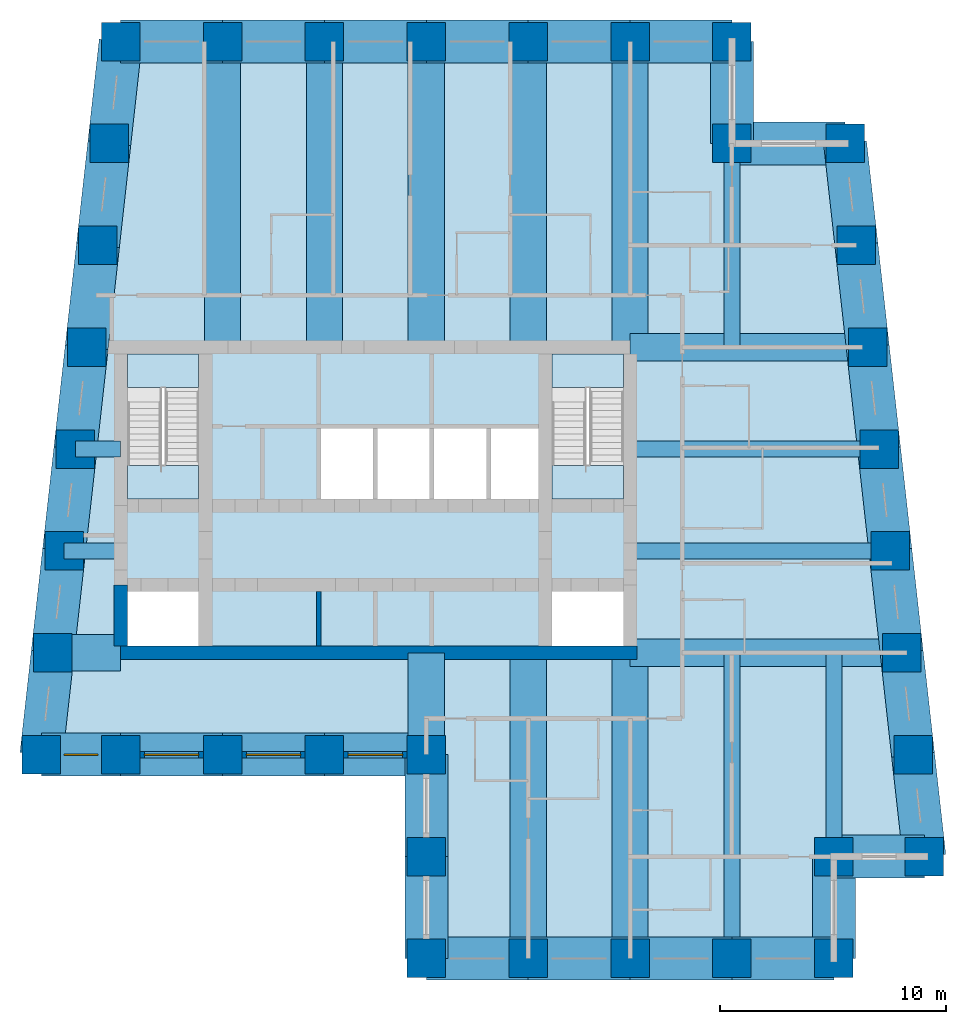
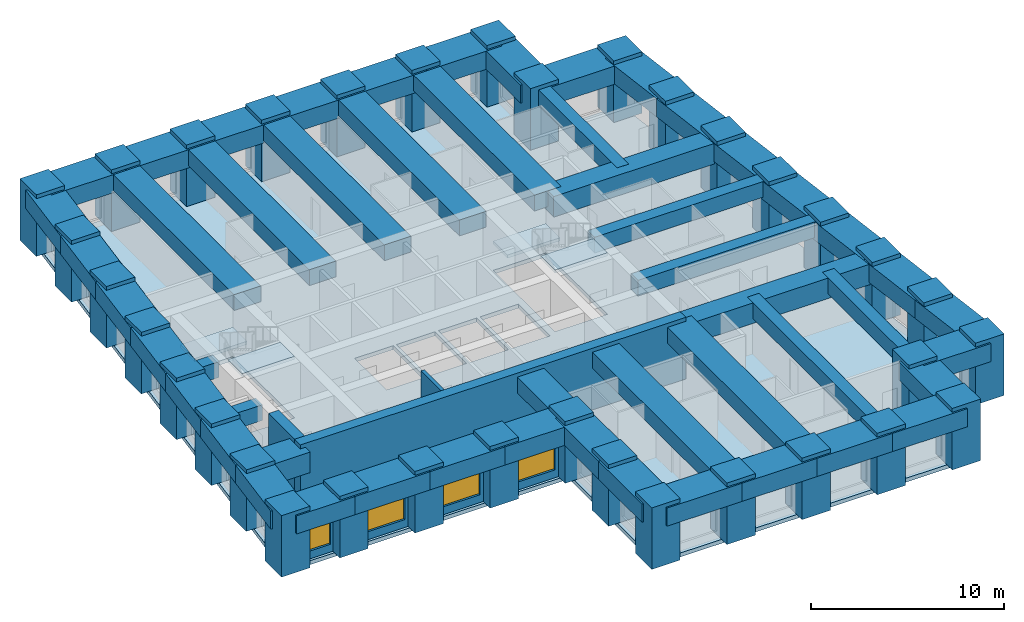
# One storey, part 1 of 7: 52 beams, 34 columns, 5 slabs, 4 walls, 4 windows, 4 openings, 2 elements without a shape of their own.
"""IFC4 building model written with IfcOpenShell, lengths in metres."""

from ifc_helpers import new_model, si_unit, direction, frame, frame_2d, origin, origin_2d, place, context, subcontext, project, spatial, polyline, rectangle, outline, extrude, material, layer, layer_set, material_profile, profile_set, type_object, element, fill, aggregate, save


model = new_model("IFC4")

# Units and contexts
model_context = context("Model", 3, precision=1e-05, world=origin(), true_north=direction((0.0, 1.0)))
body_context = subcontext(model_context, "Body", "Model", "MODEL_VIEW")
ifc_project = project(units=[si_unit("LENGTHUNIT", "METRE"), si_unit("AREAUNIT", "SQUARE_METRE"), si_unit("VOLUMEUNIT", "CUBIC_METRE"), si_unit("PLANEANGLEUNIT", "RADIAN"), si_unit("MASSUNIT", "GRAM", prefix="KILO")], contexts=[model_context])

# Site, building, storey
site_placement = place(None, origin())
site = spatial("IfcSite", under=ifc_project, at=site_placement, CompositionType="ELEMENT")
building_placement = place(site_placement, origin())
building = spatial("IfcBuilding", under=site, at=building_placement, Name="Kilele Tower Hotel", CompositionType="ELEMENT")
storey_placement = place(building_placement, frame((0.0, 0.0, 236.89990234375)))
storey = spatial("IfcBuildingStorey", under=building, at=storey_placement, Name="L61", CompositionType="ELEMENT", Elevation=236.89990234375)

# Columns
ifc_material_1 = material(Name="Concrete C60/75", Category="concrete")
ifc_material_profile_1 = material_profile(ifc_material_1, rectangle(XDim=1.699951171875, YDim=1.699951171875, at=origin_2d()))
ifc_profile_set_1 = profile_set([ifc_material_profile_1], Name="Concrete C60/75")
column_type = type_object("IfcColumnType", Name="Tube column RC 1700x1700 C60/75", PredefinedType="COLUMN", material=ifc_profile_set_1)
for number, where, z_axis, x_axis, name in (
    (1, (10.0, 9.0, 0.0), (0.0, 0.0, 1.0), (1.0, 0.0, 0.0), "Column TC4 L61"),
    (2, (13.5, 9.0, 0.0), (0.0, 0.0, 1.0), (1.0, 0.0, 0.0), "Column TC4 L61"),
    (3, (18.0, 9.0, 0.0), (0.0, 0.0, 1.0), (1.0, 0.0, 0.0), "Column TC4 L61"),
    (4, (22.5, 9.0, 0.0), (0.0, 0.0, 1.0), (1.0, 0.0, 0.0), "Column TC4 L61"),
    (5, (27.0, 9.0, 0.0), (0.0, 0.0, 1.0), (1.0, 0.0, 0.0), "Column TC4 L61"),
    (6, (27.0, 4.5, 0.0), (0.0, 0.0, 1.0), (1.0, 0.0, 0.0), "Column TC4 L61"),
    (7, (27.0, 0.0, 0.0), (0.0, 0.0, 1.0), (1.0, 0.0, 0.0), "Column TC4 L61"),
    (8, (31.5, 0.0, 0.0), (0.0, 0.0, 1.0), (1.0, 0.0, 0.0), "Column TC4 L61"),
    (9, (36.0, 0.0, 0.0), (0.0, 0.0, 1.0), (1.0, 0.0, 0.0), "Column TC4 L61"),
    (10, (40.5, 0.0, 0.0), (0.0, 0.0, 1.0), (1.0, 0.0, 0.0), "Column TC4 L61"),
    (11, (45.0, 0.0, 0.0), (0.0, 0.0, 1.0), (1.0, 0.0, 0.0), "Column TC4 L61"),
    (12, (45.0, 4.5, 0.0), (0.0, 0.0, 1.0), (1.0, 0.0, 0.0), "Column TC4 L61"),
    (13, (49.0, 4.5, 0.0), (0.0, 0.0, 1.0), (1.0, 0.0, 0.0), "Column TC4 L61"),
    (14, (48.5, 9.0, 0.0), (0.0, 0.0, 1.0), (1.0, 0.0, 0.0), "Column TC4 L61"),
    (15, (48.0, 13.5, 0.0), (0.0, 0.0, 1.0), (1.0, 0.0, 0.0), "Column TC4 L61"),
    (16, (47.5, 18.0, 0.0), (0.0, 0.0, 1.0), (1.0, 0.0, 0.0), "Column TC4 L61"),
    (17, (47.0, 22.5, 0.0), (0.0, 0.0, 1.0), (1.0, 0.0, 0.0), "Column TC4 L61"),
    (18, (46.5, 27.0, 0.0), (0.0, 0.0, 1.0), (1.0, 0.0, 0.0), "Column TC4 L61"),
    (19, (46.0, 31.5, 0.0), (0.0, 0.0, 1.0), (1.0, 0.0, 0.0), "Column TC4 L61"),
    (20, (45.5, 36.0, 0.0), (0.0, 0.0, 1.0), (1.0, 0.0, 0.0), "Column TC4 L61"),
    (21, (40.5, 36.0, 0.0), (0.0, 0.0, 1.0), (1.0, 0.0, 0.0), "Column TC4 L61"),
    (22, (40.5, 40.5, 0.0), (0.0, 0.0, 1.0), (1.0, 0.0, 0.0), "Column TC4 L61"),
    (23, (36.0, 40.5, 0.0), (0.0, 0.0, 1.0), (1.0, 0.0, 0.0), "Column TC4 L61"),
    (24, (31.5, 40.5, 0.0), (0.0, 0.0, 1.0), (1.0, 0.0, 0.0), "Column TC4 L61"),
    (25, (27.0, 40.5, 0.0), (0.0, 0.0, 1.0), (1.0, 0.0, 0.0), "Column TC4 L61"),
    (26, (22.5, 40.5, 0.0), (0.0, 0.0, 1.0), (1.0, 0.0, 0.0), "Column TC4 L61"),
    (27, (18.0, 40.5, 0.0), (0.0, 0.0, 1.0), (1.0, 0.0, 0.0), "Column TC4 L61"),
    (28, (13.5, 40.5, 0.0), (0.0, 0.0, 1.0), (1.0, 0.0, 0.0), "Column TC4 L61"),
    (29, (13.0, 36.0, 0.0), (0.0, 0.0, 1.0), (1.0, 0.0, 0.0), "Column TC4 L61"),
    (30, (12.5, 31.5, 0.0), (0.0, 0.0, 1.0), (1.0, 0.0, 0.0), "Column TC4 L61"),
    (31, (12.0, 27.0, 0.0), (0.0, 0.0, 1.0), (1.0, 0.0, 0.0), "Column TC4 L61"),
    (32, (11.5, 22.5, 0.0), (0.0, 0.0, 1.0), (1.0, 0.0, 0.0), "Column TC4 L61"),
    (33, (11.0, 18.0, 0.0), (0.0, 0.0, 1.0), (1.0, 0.0, 0.0), "Column TC4 L61"),
    (34, (10.5, 13.5, 0.0), (0.0, 0.0, 1.0), (1.0, 0.0, 0.0), "Column TC4 L61"),
):
    element("IfcColumn", number, at=place(storey_placement, frame(where, z_axis=z_axis, x_axis=x_axis)), inside=storey, type_object=column_type, Name=name, PredefinedType="COLUMN", context=body_context, shape_type="SweptSolid", body=[
        extrude(rectangle(XDim=1.699951171875, YDim=1.699951171875, at=origin_2d()), origin(), (0.0, 0.0, 1.0), 3.900146484375),
    ])

# Beams
ifc_material_2 = material(Name="Concrete C60/75", Category="concrete")
ifc_material_profile_2 = material_profile(ifc_material_2, rectangle(XDim=1.60009765625, YDim=1.0, at=origin_2d()))
ifc_profile_set_2 = profile_set([ifc_material_profile_2], Name="Concrete C60/75")
beam_type_1 = type_object("IfcBeamType", Name="Beam RC 1600x1000 C60/75", PredefinedType="BEAM", material=ifc_profile_set_2)
for number, where, z_axis, x_axis, name in (
    (35, (31.5, 0.0, 3.150146484375), (0.0, 1.0, 0.0), (-1.0, 0.0, 0.0), "Beam BC1 level L62"),
    (36, (36.0, 0.0, 3.150146484375), (0.0, 1.0, 0.0), (-1.0, 0.0, 0.0), "Beam BC1 level L62"),
    (37, (36.0, 40.5, 3.150146484375), (0.0, -1.0, 0.0), (1.0, 0.0, 0.0), "Beam BC1 level L62"),
    (38, (31.5, 40.5, 3.150146484375), (0.0, -1.0, 0.0), (1.0, 0.0, 0.0), "Beam BC1 level L62"),
    (39, (27.0, 40.5, 3.150146484375), (0.0, -1.0, 0.0), (1.0, 0.0, 0.0), "Beam BC1 level L62"),
    (40, (22.5, 40.5, 3.150146484375), (0.0, -1.0, 0.0), (1.0, 0.0, 0.0), "Beam BC1 level L62"),
    (41, (18.0, 40.5, 3.150146484375), (0.0, -1.0, 0.0), (1.0, 0.0, 0.0), "Beam BC1 level L62"),
):
    element("IfcBeam", number, at=place(storey_placement, frame(where, z_axis=z_axis, x_axis=x_axis)), inside=storey, type_object=beam_type_1, Name=name, PredefinedType="BEAM", context=body_context, shape_type="SweptSolid", body=[
        extrude(rectangle(XDim=1.60009765625, YDim=1.0, at=origin_2d()), origin(), (0.0, 0.0, 1.0), 13.5),
    ])
ifc_material_3 = material(Name="Concrete C60/75", Category="concrete")
ifc_material_profile_3 = material_profile(ifc_material_3, rectangle(XDim=1.60009765625, YDim=1.0, at=origin_2d()))
ifc_profile_set_3 = profile_set([ifc_material_profile_3], Name="Concrete C60/75")
beam_type_2 = type_object("IfcBeamType", Name="Beam RC 1600x1000 C60/75 short span", PredefinedType="BEAM", material=ifc_profile_set_3)
beam_1_placement = place(storey_placement, frame((27.0, 9.0, 3.150146484375), z_axis=(0.0, 1.0, 0.0), x_axis=(-1.0, 0.0, 0.0)))
element("IfcBeam", 42, at=beam_1_placement, inside=storey, type_object=beam_type_2, Name="Beam BC2 level L62", PredefinedType="BEAM", context=body_context, shape_type="SweptSolid", body=[
    extrude(rectangle(XDim=1.60009765625, YDim=1.0, at=origin_2d()), origin(), (0.0, 0.0, 1.0), 4.5),
])
ifc_material_4 = material(Name="Concrete C60/75", Category="concrete")
ifc_material_profile_4 = material_profile(ifc_material_4, rectangle(XDim=0.699951171875, YDim=1.0, at=origin_2d()))
ifc_profile_set_4 = profile_set([ifc_material_profile_4], Name="Concrete C60/75")
beam_type_3 = type_object("IfcBeamType", Name="Beam RC 700x1000 C60/75", PredefinedType="BEAM", material=ifc_profile_set_4)
beam_2_placement = place(storey_placement, frame((40.5, 0.0, 3.150146484375), z_axis=(0.0, 1.0, 0.0), x_axis=(-1.0, 0.0, 0.0)))
element("IfcBeam", 43, at=beam_2_placement, inside=storey, type_object=beam_type_3, Name="Beam B4 level L62", PredefinedType="BEAM", context=body_context, shape_type="SweptSolid", body=[
    extrude(rectangle(XDim=0.699951171875, YDim=1.0, at=origin_2d()), origin(), (0.0, 0.0, 1.0), 13.5),
])
ifc_material_5 = material(Name="Concrete C60/75", Category="concrete")
ifc_material_profile_5 = material_profile(ifc_material_5, rectangle(XDim=0.699951171875, YDim=1.0, at=origin_2d()))
ifc_profile_set_5 = profile_set([ifc_material_profile_5], Name="Concrete C60/75")
beam_type_4 = type_object("IfcBeamType", Name="Beam RC 700x1000 C60/75 mid span", PredefinedType="BEAM", material=ifc_profile_set_5)
beam_3_placement = place(storey_placement, frame((45.0, 4.5, 3.150146484375), z_axis=(0.0, 1.0, 0.0), x_axis=(-1.0, 0.0, 0.0)))
element("IfcBeam", 44, at=beam_3_placement, inside=storey, type_object=beam_type_4, Name="Beam B5 level L62", PredefinedType="BEAM", context=body_context, shape_type="SweptSolid", body=[
    extrude(rectangle(XDim=0.699951171875, YDim=1.0, at=origin_2d()), origin(), (0.0, 0.0, 1.0), 9.0),
])
beam_4_placement = place(storey_placement, frame((47.5, 18.0, 3.150146484375), z_axis=(-1.0, 0.0, 0.0), x_axis=(0.0, -1.0, 0.0)))
element("IfcBeam", 45, at=beam_4_placement, inside=storey, type_object=beam_type_4, Name="Beam B5 level L62", PredefinedType="BEAM", context=body_context, shape_type="SweptSolid", body=[
    extrude(rectangle(XDim=0.699951171875, YDim=1.0, at=origin_2d()), origin(), (0.0, 0.0, 1.0), 11.5),
])
beam_5_placement = place(storey_placement, frame((47.0, 22.5, 3.150146484375), z_axis=(-1.0, 0.0, 0.0), x_axis=(0.0, -1.0, 0.0)))
element("IfcBeam", 46, at=beam_5_placement, inside=storey, type_object=beam_type_4, Name="Beam B5 level L62", PredefinedType="BEAM", context=body_context, shape_type="SweptSolid", body=[
    extrude(rectangle(XDim=0.699951171875, YDim=1.0, at=origin_2d()), origin(), (0.0, 0.0, 1.0), 11.0),
])
beam_6_placement = place(storey_placement, frame((40.5, 36.0, 3.150146484375), z_axis=(0.0, -1.0, 0.0), x_axis=(1.0, 0.0, 0.0)))
element("IfcBeam", 47, at=beam_6_placement, inside=storey, type_object=beam_type_4, Name="Beam B5 level L62", PredefinedType="BEAM", context=body_context, shape_type="SweptSolid", body=[
    extrude(rectangle(XDim=0.699951171875, YDim=1.0, at=origin_2d()), origin(), (0.0, 0.0, 1.0), 9.0),
])
ifc_material_6 = material(Name="Concrete C60/75", Category="concrete")
ifc_material_profile_6 = material_profile(ifc_material_6, rectangle(XDim=0.699951171875, YDim=1.0, at=origin_2d()))
ifc_profile_set_6 = profile_set([ifc_material_profile_6], Name="Concrete C60/75")
beam_type_5 = type_object("IfcBeamType", Name="Beam RC 700x1000 C60/75 short span", PredefinedType="BEAM", material=ifc_profile_set_6)
beam_7_placement = place(storey_placement, frame((11.5, 22.5, 3.150146484375), z_axis=(1.0, 0.0, 0.0), x_axis=(0.0, 1.0, 0.0)))
element("IfcBeam", 48, at=beam_7_placement, inside=storey, type_object=beam_type_5, Name="Beam B6 level L62", PredefinedType="BEAM", context=body_context, shape_type="SweptSolid", body=[
    extrude(rectangle(XDim=0.699951171875, YDim=1.0, at=origin_2d()), origin(), (0.0, 0.0, 1.0), 2.0),
])
beam_8_placement = place(storey_placement, frame((11.0, 18.0, 3.150146484375), z_axis=(1.0, 0.0, 0.0), x_axis=(0.0, 1.0, 0.0)))
element("IfcBeam", 49, at=beam_8_placement, inside=storey, type_object=beam_type_5, Name="Beam B6 level L62", PredefinedType="BEAM", context=body_context, shape_type="SweptSolid", body=[
    extrude(rectangle(XDim=0.699951171875, YDim=1.0, at=origin_2d()), origin(), (0.0, 0.0, 1.0), 2.5),
])
ifc_material_7 = material(Name="Concrete C60/75", Category="concrete")
ifc_material_profile_7 = material_profile(ifc_material_7, rectangle(XDim=1.60009765625, YDim=1.300048828125, at=origin_2d()))
ifc_profile_set_7 = profile_set([ifc_material_profile_7], Name="Concrete C60/75")
beam_type_6 = type_object("IfcBeamType", Name="Coupling girder RC 1600x1300 C60/75", PredefinedType="BEAM", material=ifc_profile_set_7)
beam_9_placement = place(storey_placement, frame((10.5, 13.5, 3.0), z_axis=(1.0, 0.0, 0.0), x_axis=(0.0, 1.0, 0.0)))
element("IfcBeam", 50, at=beam_9_placement, inside=storey, type_object=beam_type_6, Name="Coupling girder G2 level L62", PredefinedType="BEAM", context=body_context, shape_type="SweptSolid", body=[
    extrude(rectangle(XDim=1.60009765625, YDim=1.300048828125, at=origin_2d()), origin(), (0.0, 0.0, 1.0), 3.0),
])
ifc_material_8 = material(Name="Concrete C60/75", Category="concrete")
ifc_material_profile_8 = material_profile(ifc_material_8, rectangle(XDim=1.199951171875, YDim=1.300048828125, at=origin_2d()))
ifc_profile_set_8 = profile_set([ifc_material_profile_8], Name="Concrete C60/75")
beam_type_7 = type_object("IfcBeamType", Name="Girder RC 1200x1300 C60/75", PredefinedType="BEAM", material=ifc_profile_set_8)
beam_10_placement = place(storey_placement, frame((48.0, 13.5, 3.0), z_axis=(-1.0, 0.0, 0.0), x_axis=(0.0, -1.0, 0.0)))
element("IfcBeam", 51, at=beam_10_placement, inside=storey, type_object=beam_type_7, Name="Girder G1 level L62", PredefinedType="BEAM", context=body_context, shape_type="SweptSolid", body=[
    extrude(rectangle(XDim=1.199951171875, YDim=1.300048828125, at=origin_2d()), origin(), (0.0, 0.0, 1.0), 12.0),
])
ifc_material_9 = material(Name="Concrete C60/75", Category="concrete")
ifc_material_profile_9 = material_profile(ifc_material_9, rectangle(XDim=1.199951171875, YDim=1.300048828125, at=origin_2d()))
ifc_profile_set_9 = profile_set([ifc_material_profile_9], Name="Concrete C60/75")
beam_type_8 = type_object("IfcBeamType", Name="Girder RC 1200x1300 C60/75 mid span", PredefinedType="BEAM", material=ifc_profile_set_9)
beam_11_placement = place(storey_placement, frame((46.5, 27.0, 3.0), z_axis=(-1.0, 0.0, 0.0), x_axis=(0.0, -1.0, 0.0)))
element("IfcBeam", 52, at=beam_11_placement, inside=storey, type_object=beam_type_8, Name="Girder G3 level L62", PredefinedType="BEAM", context=body_context, shape_type="SweptSolid", body=[
    extrude(rectangle(XDim=1.199951171875, YDim=1.300048828125, at=origin_2d()), origin(), (0.0, 0.0, 1.0), 10.5),
])
ifc_material_10 = material(Name="Concrete C60/75", Category="concrete")
ifc_material_profile_10 = material_profile(ifc_material_10, rectangle(XDim=1.89990234375, YDim=1.14990234375, at=origin_2d()))
ifc_profile_set_10 = profile_set([ifc_material_profile_10], Name="Concrete C60/75")
beam_type_9 = type_object("IfcBeamType", Name="Spandrel RC 1900x1150 C60/75", PredefinedType="SPANDREL", material=ifc_profile_set_10)
beam_12_placement = place(storey_placement, frame((10.0, 9.0, 3.0751953125), z_axis=(1.0, 0.0, 0.0), x_axis=(0.0, 1.0, 0.0)))
element("IfcBeam", 53, at=beam_12_placement, inside=storey, type_object=beam_type_9, Name="Spandrel SP8 level L62", PredefinedType="SPANDREL", context=body_context, shape_type="SweptSolid", body=[
    extrude(rectangle(XDim=1.89990234375, YDim=1.14990234375, at=origin_2d()), origin(), (0.0, 0.0, 1.0), 3.5),
])
for number, where, z_axis, x_axis, name in (
    (54, (13.5, 9.0, 3.0751953125), (1.0, 0.0, 0.0), (0.0, 1.0, 0.0), "Spandrel SP8 level L62"),
    (55, (18.0, 9.0, 3.0751953125), (1.0, 0.0, 0.0), (0.0, 1.0, 0.0), "Spandrel SP8 level L62"),
    (56, (22.5, 9.0, 3.0751953125), (1.0, 0.0, 0.0), (0.0, 1.0, 0.0), "Spandrel SP8 level L62"),
    (57, (27.0, 9.0, 3.0751953125), (0.0, -1.0, 0.0), (1.0, 0.0, 0.0), "Spandrel SP8 level L62"),
    (58, (27.0, 4.5, 3.0751953125), (0.0, -1.0, 0.0), (1.0, 0.0, 0.0), "Spandrel SP8 level L62"),
    (59, (27.0, 0.0, 3.0751953125), (1.0, 0.0, 0.0), (0.0, 1.0, 0.0), "Spandrel SP8 level L62"),
    (60, (31.5, 0.0, 3.0751953125), (1.0, 0.0, 0.0), (0.0, 1.0, 0.0), "Spandrel SP8 level L62"),
    (61, (36.0, 0.0, 3.0751953125), (1.0, 0.0, 0.0), (0.0, 1.0, 0.0), "Spandrel SP8 level L62"),
    (62, (40.5, 0.0, 3.0751953125), (1.0, 0.0, 0.0), (0.0, 1.0, 0.0), "Spandrel SP8 level L62"),
    (63, (45.0, 0.0, 3.0751953125), (0.0, 1.0, 0.0), (-1.0, 0.0, 0.0), "Spandrel SP8 level L62"),
):
    element("IfcBeam", number, at=place(storey_placement, frame(where, z_axis=z_axis, x_axis=x_axis)), inside=storey, type_object=beam_type_9, Name=name, PredefinedType="SPANDREL", context=body_context, shape_type="SweptSolid", body=[
        extrude(rectangle(XDim=1.89990234375, YDim=1.14990234375, at=origin_2d()), origin(), (0.0, 0.0, 1.0), 4.5),
    ])
beam_13_placement = place(storey_placement, frame((45.0, 4.5, 3.0751953125), z_axis=(1.0, 0.0, 0.0), x_axis=(0.0, 1.0, 0.0)))
element("IfcBeam", 64, at=beam_13_placement, inside=storey, type_object=beam_type_9, Name="Spandrel SP8 level L62", PredefinedType="SPANDREL", context=body_context, shape_type="SweptSolid", body=[
    extrude(rectangle(XDim=1.89990234375, YDim=1.14990234375, at=origin_2d()), origin(), (0.0, 0.0, 1.0), 4.0),
])
for number, where, z_axis, x_axis, name in (
    (65, (49.0, 4.5, 3.0751953125), (-0.110431526075, 0.993883734674, 0.0), (-0.993883734674, -0.110431526075, 0.0), "Spandrel SP8 level L62"),
    (66, (48.5, 9.0, 3.0751953125), (-0.110431526075, 0.993883734674, 0.0), (-0.993883734674, -0.110431526075, 0.0), "Spandrel SP8 level L62"),
    (67, (48.0, 13.5, 3.0751953125), (-0.110431526075, 0.993883734674, 0.0), (-0.993883734674, -0.110431526075, 0.0), "Spandrel SP8 level L62"),
    (68, (47.5, 18.0, 3.0751953125), (-0.110431526075, 0.993883734674, 0.0), (-0.993883734674, -0.110431526075, 0.0), "Spandrel SP8 level L62"),
    (69, (47.0, 22.5, 3.0751953125), (-0.110431526075, 0.993883734674, 0.0), (-0.993883734674, -0.110431526075, 0.0), "Spandrel SP8 level L62"),
    (70, (46.5, 27.0, 3.0751953125), (-0.110431526075, 0.993883734674, 0.0), (-0.993883734674, -0.110431526075, 0.0), "Spandrel SP8 level L62"),
    (71, (46.0, 31.5, 3.0751953125), (-0.110431526075, 0.993883734674, 0.0), (-0.993883734674, -0.110431526075, 0.0), "Spandrel SP8 level L62"),
):
    element("IfcBeam", number, at=place(storey_placement, frame(where, z_axis=z_axis, x_axis=x_axis)), inside=storey, type_object=beam_type_9, Name=name, PredefinedType="SPANDREL", context=body_context, shape_type="SweptSolid", body=[
        extrude(rectangle(XDim=1.89990234375, YDim=1.14990234375, at=origin_2d()), origin(), (0.0, 0.0, 1.0), 4.527587890625),
    ])
beam_14_placement = place(storey_placement, frame((45.5, 36.0, 3.0751953125), z_axis=(-1.0, 0.0, 0.0), x_axis=(0.0, -1.0, 0.0)))
element("IfcBeam", 72, at=beam_14_placement, inside=storey, type_object=beam_type_9, Name="Spandrel SP8 level L62", PredefinedType="SPANDREL", context=body_context, shape_type="SweptSolid", body=[
    extrude(rectangle(XDim=1.89990234375, YDim=1.14990234375, at=origin_2d()), origin(), (0.0, 0.0, 1.0), 5.0),
])
for number, where, z_axis, x_axis, name in (
    (73, (40.5, 36.0, 3.0751953125), (0.0, 1.0, 0.0), (-1.0, 0.0, 0.0), "Spandrel SP8 level L62"),
    (74, (40.5, 40.5, 3.0751953125), (-1.0, 0.0, 0.0), (0.0, -1.0, 0.0), "Spandrel SP8 level L62"),
    (75, (36.0, 40.5, 3.0751953125), (-1.0, 0.0, 0.0), (0.0, -1.0, 0.0), "Spandrel SP8 level L62"),
    (76, (31.5, 40.5, 3.0751953125), (-1.0, 0.0, 0.0), (0.0, -1.0, 0.0), "Spandrel SP8 level L62"),
    (77, (27.0, 40.5, 3.0751953125), (-1.0, 0.0, 0.0), (0.0, -1.0, 0.0), "Spandrel SP8 level L62"),
    (78, (22.5, 40.5, 3.0751953125), (-1.0, 0.0, 0.0), (0.0, -1.0, 0.0), "Spandrel SP8 level L62"),
    (79, (18.0, 40.5, 3.0751953125), (-1.0, 0.0, 0.0), (0.0, -1.0, 0.0), "Spandrel SP8 level L62"),
):
    element("IfcBeam", number, at=place(storey_placement, frame(where, z_axis=z_axis, x_axis=x_axis)), inside=storey, type_object=beam_type_9, Name=name, PredefinedType="SPANDREL", context=body_context, shape_type="SweptSolid", body=[
        extrude(rectangle(XDim=1.89990234375, YDim=1.14990234375, at=origin_2d()), origin(), (0.0, 0.0, 1.0), 4.5),
    ])
for number, where, z_axis, x_axis, name in (
    (80, (13.5, 40.5, 3.0751953125), (-0.110431526075, -0.993883734674, 0.0), (0.993883734674, -0.110431526075, 0.0), "Spandrel SP8 level L62"),
    (81, (13.0, 36.0, 3.0751953125), (-0.110431526075, -0.993883734674, 0.0), (0.993883734674, -0.110431526075, 0.0), "Spandrel SP8 level L62"),
    (82, (12.5, 31.5, 3.0751953125), (-0.110431526075, -0.993883734674, 0.0), (0.993883734674, -0.110431526075, 0.0), "Spandrel SP8 level L62"),
    (83, (12.0, 27.0, 3.0751953125), (-0.110431526075, -0.993883734674, 0.0), (0.993883734674, -0.110431526075, 0.0), "Spandrel SP8 level L62"),
    (84, (11.5, 22.5, 3.0751953125), (-0.110431526075, -0.993883734674, 0.0), (0.993883734674, -0.110431526075, 0.0), "Spandrel SP8 level L62"),
    (85, (11.0, 18.0, 3.0751953125), (-0.110431526075, -0.993883734674, 0.0), (0.993883734674, -0.110431526075, 0.0), "Spandrel SP8 level L62"),
    (86, (10.5, 13.5, 3.0751953125), (-0.110431526075, -0.993883734674, 0.0), (0.993883734674, -0.110431526075, 0.0), "Spandrel SP8 level L62"),
):
    element("IfcBeam", number, at=place(storey_placement, frame(where, z_axis=z_axis, x_axis=x_axis)), inside=storey, type_object=beam_type_9, Name=name, PredefinedType="SPANDREL", context=body_context, shape_type="SweptSolid", body=[
        extrude(rectangle(XDim=1.89990234375, YDim=1.14990234375, at=origin_2d()), origin(), (0.0, 0.0, 1.0), 4.527587890625),
    ])

# Slab
ifc_material_11 = material(Name="Concrete C60/75", Category="concrete")
ifc_layer_1 = layer(ifc_material_11, 0.25)
ifc_layer_set_1 = layer_set([ifc_layer_1], Name="Concrete C60/75")
slab_type_1 = type_object("IfcSlabType", Name="Floor slab 250", PredefinedType="FLOOR", material=ifc_layer_set_1)
slab_1_placement = place(storey_placement, frame((0.0, 0.0, -0.25)))
element("IfcSlab", 87, at=slab_1_placement, inside=storey, type_object=slab_type_1, Name="Floor slab L61", PredefinedType="FLOOR", context=body_context, shape_type="SweptSolid", body=[
    extrude(outline(polyline([(40.800048828125, 40.800048828125), (40.800048828125, 36.300048828125), (45.7685546875, 36.300048828125), (49.335205078125, 4.199951171875), (45.300048828125, 4.199951171875), (45.300048828125, -0.300048828125), (26.699951171875, -0.300048828125), (26.699951171875, 8.699951171875), (9.664794921875, 8.699951171875), (13.2314453125, 40.800048828125), (40.800048828125, 40.800048828125)]), holes=[polyline([(16.949951171875, 16.199951171875), (13.800048828125, 16.199951171875), (13.800048828125, 13.800048828125), (16.949951171875, 13.800048828125), (16.949951171875, 16.199951171875)]), polyline([(35.699951171875, 16.199951171875), (32.550048828125, 16.199951171875), (32.550048828125, 13.800048828125), (35.699951171875, 13.800048828125), (35.699951171875, 16.199951171875)]), polyline([(24.64990234375, 23.39990234375), (22.35009765625, 23.39990234375), (22.35009765625, 20.10009765625), (24.64990234375, 20.10009765625), (24.64990234375, 23.39990234375)]), polyline([(27.14990234375, 23.39990234375), (24.85009765625, 23.39990234375), (24.85009765625, 20.10009765625), (27.14990234375, 20.10009765625), (27.14990234375, 23.39990234375)]), polyline([(29.64990234375, 23.39990234375), (27.35009765625, 23.39990234375), (27.35009765625, 20.10009765625), (29.64990234375, 20.10009765625), (29.64990234375, 23.39990234375)]), polyline([(32.14990234375, 23.39990234375), (29.85009765625, 23.39990234375), (29.85009765625, 20.10009765625), (32.14990234375, 20.10009765625), (32.14990234375, 23.39990234375)]), polyline([(16.949951171875, 26.699951171875), (13.800048828125, 26.699951171875), (13.800048828125, 20.300048828125), (16.949951171875, 20.300048828125), (16.949951171875, 26.699951171875)]), polyline([(35.699951171875, 26.699951171875), (32.550048828125, 26.699951171875), (32.550048828125, 20.300048828125), (35.699951171875, 20.300048828125), (35.699951171875, 26.699951171875)])]), origin(), (0.0, 0.0, 1.0), 0.25),
])

# Stair, slabs
ifc_material_12 = material(Name="Precast concrete C40/50", Category="concrete")
stair_type = type_object("IfcStairType", Name="Stair 1475 x 3900", PredefinedType="HALF_TURN_STAIR", material=ifc_material_12)
stair_1_placement = place(storey_placement, origin())
stair_1 = element("IfcStair", 88, at=stair_1_placement, inside=storey, type_object=stair_type, Name="Stair 1 L61", PredefinedType="HALF_TURN_STAIR")
ifc_material_13 = material(Name="Precast concrete C40/50", Category="concrete")
ifc_layer_2 = layer(ifc_material_13, 0.199951171875)
ifc_layer_set_2 = layer_set([ifc_layer_2], Name="Precast concrete C40/50")
slab_type_2 = type_object("IfcSlabType", Name="Stair landing 200", PredefinedType="LANDING", material=ifc_layer_set_2)
slab_2_placement = place(storey_placement, frame((0.0, 0.0, 1.665283203125)))
slab_2 = element("IfcSlab", 89, at=slab_2_placement, type_object=slab_type_2, Name="ST1 landing 1", PredefinedType="LANDING", context=body_context, shape_type="SweptSolid", body=[
    extrude(outline(polyline([(13.800048828125, 25.22509765625), (16.949951171875, 25.22509765625), (16.949951171875, 26.699951171875), (13.800048828125, 26.699951171875), (13.800048828125, 25.22509765625)])), origin(), (0.0, 0.0, 1.0), 0.199951171875),
])
slab_3_placement = place(storey_placement, frame((0.0, 0.0, 3.7001953125)))
slab_3 = element("IfcSlab", 90, at=slab_3_placement, type_object=slab_type_2, Name="ST1 landing 2", PredefinedType="LANDING", context=body_context, shape_type="SweptSolid", body=[
    extrude(outline(polyline([(13.800048828125, 20.300048828125), (16.949951171875, 20.300048828125), (16.949951171875, 21.77490234375), (13.800048828125, 21.77490234375), (13.800048828125, 20.300048828125)])), origin(), (0.0, 0.0, 1.0), 0.199951171875),
])
aggregate(stair_1, [slab_2, slab_3])

stair_2_placement = place(storey_placement, origin())
stair_2 = element("IfcStair", 91, at=stair_2_placement, inside=storey, type_object=stair_type, Name="Stair 2 L61", PredefinedType="HALF_TURN_STAIR")
slab_4_placement = place(storey_placement, frame((0.0, 0.0, 1.665283203125)))
slab_4 = element("IfcSlab", 92, at=slab_4_placement, type_object=slab_type_2, Name="ST2 landing 1", PredefinedType="LANDING", context=body_context, shape_type="SweptSolid", body=[
    extrude(outline(polyline([(32.550048828125, 25.22509765625), (35.699951171875, 25.22509765625), (35.699951171875, 26.699951171875), (32.550048828125, 26.699951171875), (32.550048828125, 25.22509765625)])), origin(), (0.0, 0.0, 1.0), 0.199951171875),
])
slab_5_placement = place(storey_placement, frame((0.0, 0.0, 3.7001953125)))
slab_5 = element("IfcSlab", 93, at=slab_5_placement, type_object=slab_type_2, Name="ST2 landing 2", PredefinedType="LANDING", context=body_context, shape_type="SweptSolid", body=[
    extrude(outline(polyline([(32.550048828125, 20.300048828125), (35.699951171875, 20.300048828125), (35.699951171875, 21.77490234375), (32.550048828125, 21.77490234375), (32.550048828125, 20.300048828125)])), origin(), (0.0, 0.0, 1.0), 0.199951171875),
])
aggregate(stair_2, [slab_4, slab_5])

# Walls
ifc_material_14 = material(Name="Concrete C60/75", Category="concrete")
ifc_layer_3 = layer(ifc_material_14, 0.60009765625)
ifc_layer_set_3 = layer_set([ifc_layer_3], Name="Concrete C60/75")
wall_type_1 = type_object("IfcWallType", Name="Core wall 600 C60/75", PredefinedType="SHEAR", material=ifc_layer_set_3)
wall_1_placement = place(storey_placement, frame((13.199951171875, 13.5, 0.0), z_axis=(0.0, 0.0, 1.0), x_axis=(1.0, 0.0, 0.0)))
element("IfcWall", 94, at=wall_1_placement, inside=storey, type_object=wall_type_1, Name="Core wall S L61", PredefinedType="SHEAR", context=body_context, shape_type="SweptSolid", body=[
    extrude(rectangle(XDim=23.10009765625, YDim=0.60009765625, at=frame_2d((11.550048828125, 0.0))), origin(), (0.0, 0.0, 1.0), 3.900146484375),
])
wall_2_placement = place(storey_placement, frame((13.5, 16.5, 0.0), z_axis=(0.0, 0.0, 1.0), x_axis=(0.0, -1.0, 0.0)))
element("IfcWall", 95, at=wall_2_placement, inside=storey, type_object=wall_type_1, Name="Core wall W3 L61", PredefinedType="SHEAR", context=body_context, shape_type="SweptSolid", body=[
    extrude(rectangle(XDim=2.699951171875, YDim=0.60009765625, at=frame_2d((1.35009765625, 0.0))), origin(), (0.0, 0.0, 1.0), 3.900146484375),
])

# Wall, openings, windows
ifc_material_15 = material(Name="Concrete C40/50 precast", Category="concrete")
ifc_layer_4 = layer(ifc_material_15, 0.260009765625, Name="Precast backing", Category="LoadBearing")
ifc_material_16 = material(Name="Reconstituted stone finish", Category="masonry")
ifc_layer_5 = layer(ifc_material_16, 0.0400390625, Name="Face mix", Category="Finish")
ifc_layer_set_4 = layer_set([ifc_layer_4, ifc_layer_5], Name="Precast concrete C40/50, reconstituted stone finish")
wall_type_2 = type_object("IfcWallType", Name="Precast stone facade wall 300", PredefinedType="STANDARD", material=ifc_layer_set_4)
wall_3_placement = place(storey_placement, frame((9.85009765625, 9.0, 0.0), z_axis=(0.0, 0.0, 1.0), x_axis=(1.0, 0.0, 0.0)))
wall_3 = element("IfcWall", 96, at=wall_3_placement, inside=storey, type_object=wall_type_2, Name="Facade wall L61 edge 1", PredefinedType="STANDARD", context=body_context, shape_type="SweptSolid", body=[
    extrude(rectangle(XDim=17.2998046875, YDim=0.300048828125, at=frame_2d((8.64990234375, 0.0))), origin(), (0.0, 0.0, 1.0), 2.5),
])
opening_1_placement = place(wall_3_placement, frame((1.14990234375, 0.0, 0.5)))
opening_1 = element("IfcOpeningElement", 97, at=opening_1_placement, cuts=wall_3, Name="Opening W4", PredefinedType="OPENING", context=body_context, shape_type="SweptSolid", body=[
    extrude(rectangle(XDim=1.5, YDim=1.85009765625, at=frame_2d((0.75, 0.925048828125))), frame((0.0, 0.159912109375, 0.0), z_axis=(0.0, -1.0, 0.0), x_axis=(1.0, 0.0, 0.0)), (0.0, 0.0, 1.0), 0.320068359375),
])
opening_2_placement = place(wall_3_placement, frame((4.699951171875, 0.0, 0.5)))
opening_2 = element("IfcOpeningElement", 98, at=opening_2_placement, cuts=wall_3, Name="Opening W4", PredefinedType="OPENING", context=body_context, shape_type="SweptSolid", body=[
    extrude(rectangle(XDim=2.39990234375, YDim=1.85009765625, at=frame_2d((1.199951171875, 0.925048828125))), frame((0.0, 0.159912109375, 0.0), z_axis=(0.0, -1.0, 0.0), x_axis=(1.0, 0.0, 0.0)), (0.0, 0.0, 1.0), 0.320068359375),
])
opening_3_placement = place(wall_3_placement, frame((9.199951171875, 0.0, 0.5)))
opening_3 = element("IfcOpeningElement", 99, at=opening_3_placement, cuts=wall_3, Name="Opening W4", PredefinedType="OPENING", context=body_context, shape_type="SweptSolid", body=[
    extrude(rectangle(XDim=2.39990234375, YDim=1.85009765625, at=frame_2d((1.199951171875, 0.925048828125))), frame((0.0, 0.159912109375, 0.0), z_axis=(0.0, -1.0, 0.0), x_axis=(1.0, 0.0, 0.0)), (0.0, 0.0, 1.0), 0.320068359375),
])
opening_4_placement = place(wall_3_placement, frame((13.699951171875, 0.0, 0.5)))
opening_4 = element("IfcOpeningElement", 100, at=opening_4_placement, cuts=wall_3, Name="Opening W4", PredefinedType="OPENING", context=body_context, shape_type="SweptSolid", body=[
    extrude(rectangle(XDim=2.39990234375, YDim=1.85009765625, at=frame_2d((1.199951171875, 0.925048828125))), frame((0.0, 0.159912109375, 0.0), z_axis=(0.0, -1.0, 0.0), x_axis=(1.0, 0.0, 0.0)), (0.0, 0.0, 1.0), 0.320068359375),
])
ifc_material_17 = material(Name="Aluminium frame, clear double glazing", Category="aluminium")
window_type_1 = type_object("IfcWindowType", Name="Window W4 1500 x 1850", PartitioningType="SINGLE_PANEL", PredefinedType="WINDOW", material=ifc_material_17)
window_1_placement = place(opening_1_placement, origin())
window_1 = element("IfcWindow", 101, at=window_1_placement, inside=storey, type_object=window_type_1, Name="Window L61", OverallHeight=1.85009765625, OverallWidth=1.5, PartitioningType="SINGLE_PANEL", PredefinedType="WINDOW", context=body_context, shape_type="SweptSolid", body=[
    extrude(rectangle(XDim=1.5, YDim=1.85009765625, at=frame_2d((0.75, 0.925048828125))), frame((0.0, 0.030029296875, 0.0), z_axis=(0.0, -1.0, 0.0), x_axis=(1.0, 0.0, 0.0)), (0.0, 0.0, 1.0), 0.06005859375),
])
fill(opening_1, window_1)
ifc_material_18 = material(Name="Aluminium frame, clear double glazing", Category="aluminium")
window_type_2 = type_object("IfcWindowType", Name="Window W4 2400 x 1850", PartitioningType="SINGLE_PANEL", PredefinedType="WINDOW", material=ifc_material_18)
window_2_placement = place(opening_2_placement, origin())
window_2 = element("IfcWindow", 102, at=window_2_placement, inside=storey, type_object=window_type_2, Name="Window L61", OverallHeight=1.85009765625, OverallWidth=2.39990234375, PartitioningType="SINGLE_PANEL", PredefinedType="WINDOW", context=body_context, shape_type="SweptSolid", body=[
    extrude(rectangle(XDim=2.39990234375, YDim=1.85009765625, at=frame_2d((1.199951171875, 0.925048828125))), frame((0.0, 0.030029296875, 0.0), z_axis=(0.0, -1.0, 0.0), x_axis=(1.0, 0.0, 0.0)), (0.0, 0.0, 1.0), 0.06005859375),
])
fill(opening_2, window_2)
window_3_placement = place(opening_3_placement, origin())
window_3 = element("IfcWindow", 103, at=window_3_placement, inside=storey, type_object=window_type_2, Name="Window L61", OverallHeight=1.85009765625, OverallWidth=2.39990234375, PartitioningType="SINGLE_PANEL", PredefinedType="WINDOW", context=body_context, shape_type="SweptSolid", body=[
    extrude(rectangle(XDim=2.39990234375, YDim=1.85009765625, at=frame_2d((1.199951171875, 0.925048828125))), frame((0.0, 0.030029296875, 0.0), z_axis=(0.0, -1.0, 0.0), x_axis=(1.0, 0.0, 0.0)), (0.0, 0.0, 1.0), 0.06005859375),
])
fill(opening_3, window_3)
window_4_placement = place(opening_4_placement, origin())
window_4 = element("IfcWindow", 104, at=window_4_placement, inside=storey, type_object=window_type_2, Name="Window L61", OverallHeight=1.85009765625, OverallWidth=2.39990234375, PartitioningType="SINGLE_PANEL", PredefinedType="WINDOW", context=body_context, shape_type="SweptSolid", body=[
    extrude(rectangle(XDim=2.39990234375, YDim=1.85009765625, at=frame_2d((1.199951171875, 0.925048828125))), frame((0.0, 0.030029296875, 0.0), z_axis=(0.0, -1.0, 0.0), x_axis=(1.0, 0.0, 0.0)), (0.0, 0.0, 1.0), 0.06005859375),
])
fill(opening_4, window_4)

# Wall
ifc_material_19 = material(Name="Blockwork, fire-rated", Category="masonry")
ifc_layer_6 = layer(ifc_material_19, 0.199951171875)
ifc_layer_set_5 = layer_set([ifc_layer_6], Name="Blockwork, fire-rated")
wall_type_3 = type_object("IfcWallType", Name="Shaft wall 200", PredefinedType="PARTITIONING", material=ifc_layer_set_5)
wall_4_placement = place(storey_placement, frame((22.25, 13.800048828125, 0.0), z_axis=(0.0, 0.0, 1.0), x_axis=(0.0, 1.0, 0.0)))
element("IfcWall", 105, at=wall_4_placement, inside=storey, type_object=wall_type_3, Name="Shaft wall 200 L61", PredefinedType="PARTITIONING", context=body_context, shape_type="SweptSolid", body=[
    extrude(rectangle(XDim=2.39990234375, YDim=0.199951171875, at=frame_2d((1.199951171875, 0.0))), origin(), (0.0, 0.0, 1.0), 3.650146484375),
])

save(model, "model.ifc")
